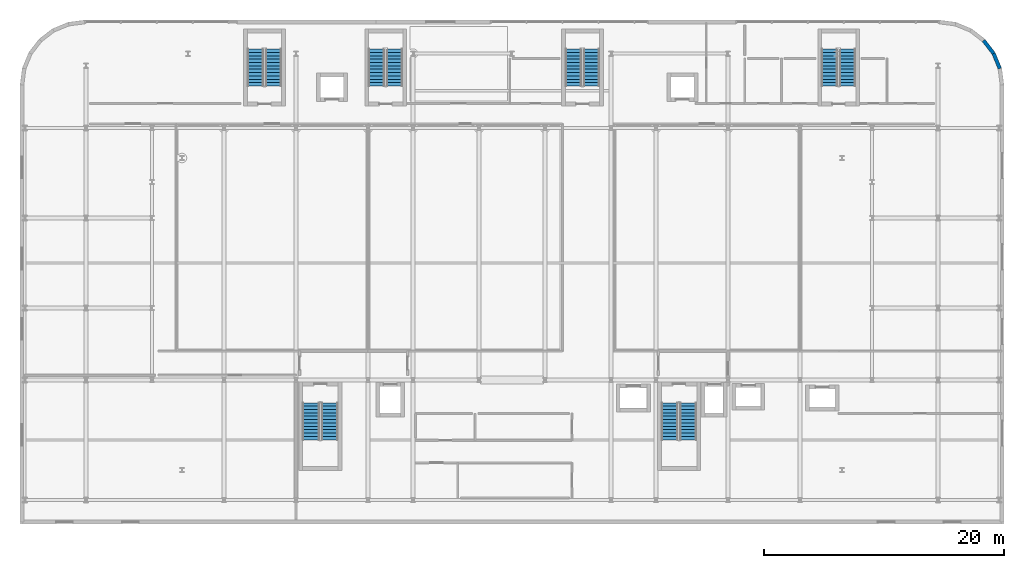
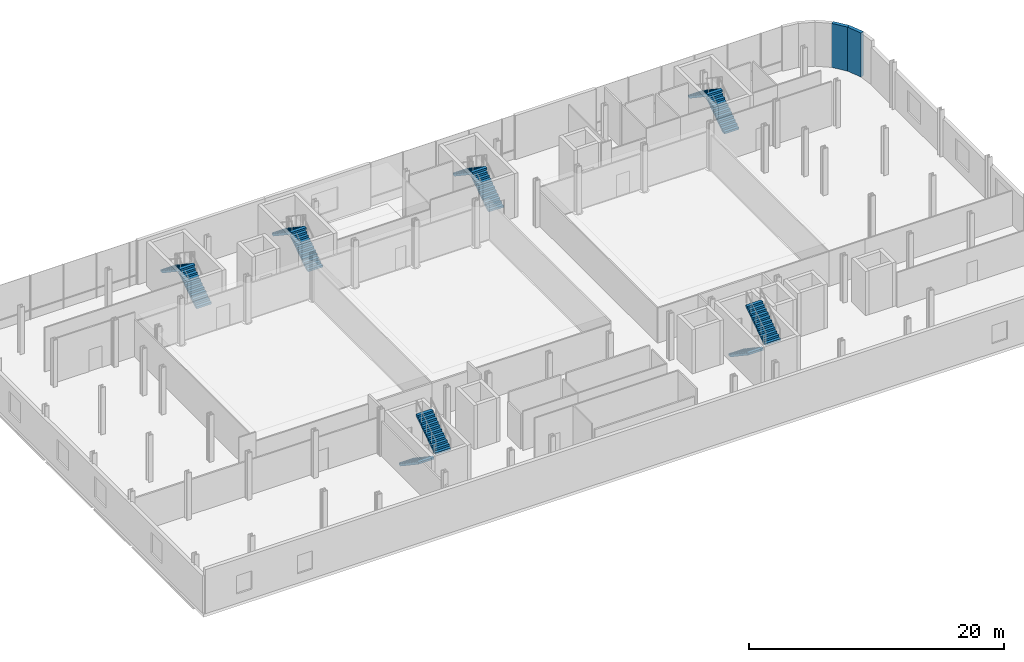
# One storey, part 20 of 25: 12 stair flights, 2 walls, 6 elements without a shape of their own.
"""IFC4 building model written with IfcOpenShell, lengths in metres."""

from ifc_helpers import new_model, si_unit, direction, frame, frame_2d, origin, place, context, subcontext, project, spatial, polyline, rectangle, outline, extrude, material, layer, layer_set, type_object, element, aggregate, save


model = new_model("IFC4")

# Units and contexts
model_context = context("Model", 3, precision=1e-05, world=origin(), true_north=direction((0.0, 1.0)))
body_context = subcontext(model_context, "Body", "Model", "MODEL_VIEW")
ifc_project = project(units=[si_unit("LENGTHUNIT", "METRE"), si_unit("AREAUNIT", "SQUARE_METRE"), si_unit("VOLUMEUNIT", "CUBIC_METRE"), si_unit("PLANEANGLEUNIT", "RADIAN"), si_unit("MASSUNIT", "GRAM", prefix="KILO")], contexts=[model_context])

# Site, building, storey
site_placement = place(None, origin())
site = spatial("IfcSite", under=ifc_project, at=site_placement, CompositionType="ELEMENT")
building_placement = place(site_placement, origin())
building = spatial("IfcBuilding", under=site, at=building_placement, Name="Brevholm Reach", CompositionType="ELEMENT")
storey_placement = place(building_placement, frame((0.0, 0.0, 13.5)))
storey = spatial("IfcBuildingStorey", under=building, at=storey_placement, Name="L03", CompositionType="ELEMENT", Elevation=13.5)

# Walls
ifc_material_1 = material(Name="Concrete C40/50", Category="concrete")
ifc_layer_1 = layer(ifc_material_1, 0.300048828125)
ifc_layer_set_1 = layer_set([ifc_layer_1], Name="Concrete C40/50")
wall_type = type_object("IfcWallType", Name="WAL-EXT-300", PredefinedType="STANDARD", material=ifc_layer_set_1)
wall_1_placement = place(storey_placement, frame((69.298095703125, 38.298095703125, 0.0), z_axis=(0.0, 0.0, 1.0), x_axis=(0.6088894473, -0.793255091989, 0.0)))
element("IfcWall", 1, at=wall_1_placement, inside=storey, type_object=wall_type, Name="L03 Facade Wall WAL-L03-NEP-4", PredefinedType="STANDARD", context=body_context, shape_type="SweptSolid", body=[
    extrude(rectangle(XDim=1.365234375, YDim=0.300048828125, at=frame_2d((0.6826171875, 0.0))), origin(), (0.0, 0.0, 1.0), 4.219970703125),
])
wall_2_placement = place(storey_placement, frame((70.12939453125, 37.215087890625, 0.0), z_axis=(0.0, 0.0, 1.0), x_axis=(0.382646577594, -0.923894797396, 0.0)))
element("IfcWall", 2, at=wall_2_placement, inside=storey, type_object=wall_type, Name="L03 Facade Wall WAL-L03-NEP-5", PredefinedType="STANDARD", context=body_context, shape_type="SweptSolid", body=[
    extrude(rectangle(XDim=1.365478515625, YDim=0.300048828125, at=frame_2d((0.6826171875, 0.0))), origin(), (0.0, 0.0, 1.0), 4.219970703125),
])

# Stair, stair flights
ifc_material_2 = material(Name="Precast Concrete C40/50", Category="concrete")
stair_type_1 = type_object("IfcStairType", Name="STR-ESC-1250", PredefinedType="DOUBLE_RETURN_STAIR", material=ifc_material_2)
stair_1_placement = place(storey_placement, origin())
stair_1 = element("IfcStair", 3, at=stair_1_placement, inside=storey, type_object=stair_type_1, Name="L03 ST-S1", PredefinedType="DOUBLE_RETURN_STAIR")
ifc_material_3 = material(Name="Precast Concrete C40/50", Category="concrete")
ifc_layer_2 = layer(ifc_material_3, 0.1650390625)
ifc_layer_set_2 = layer_set([ifc_layer_2], Name="Precast Concrete C40/50")
stair_flight_type_1 = type_object("IfcStairFlightType", Name="STF-PRC-165", PredefinedType="STRAIGHT", material=ifc_layer_set_2)
stair_flight_1_placement = place(storey_placement, frame((10.125, 34.5, 0.0), z_axis=(0.0, 0.0, 1.0), x_axis=(0.0, 1.0, 0.0)))
stair_flight_1 = element("IfcStairFlight", 4, at=stair_flight_1_placement, type_object=stair_flight_type_1, Name="ST-S1 flight 1", NumberOfRisers=12, NumberOfTreads=11, PredefinedType="STRAIGHT", RiserHeight=0.1875, TreadLength=0.28, context=body_context, shape_type="SweptSolid", body=[
    extrude(outline(polyline([(0.0, 0.0), (0.0, 0.1875), (0.280029296875, 0.1875), (0.280029296875, 0.375), (0.56005859375, 0.375), (0.56005859375, 0.5625), (0.840087890625, 0.5625), (0.840087890625, 0.75), (1.1201171875, 0.75), (1.1201171875, 0.9375), (1.39990234375, 0.9375), (1.39990234375, 1.125), (1.679931640625, 1.125), (1.679931640625, 1.3125), (1.9599609375, 1.3125), (1.9599609375, 1.5), (2.239990234375, 1.5), (2.239990234375, 1.6875), (2.52001953125, 1.6875), (2.52001953125, 1.875), (2.800048828125, 1.875), (2.800048828125, 2.0625), (3.080078125, 2.0625), (3.080078125, 2.25), (3.080078125, 1.882080078125), (0.26953125, 0.0), (0.0, 0.0)])), frame((0.0, 0.675048828125, 0.0), z_axis=(0.0, -1.0, 0.0), x_axis=(1.0, 0.0, 0.0)), (0.0, 0.0, 1.0), 1.35009765625),
])
stair_flight_2_placement = place(storey_placement, frame((8.625, 37.580078125, 2.25), z_axis=(0.0, 0.0, 1.0), x_axis=(0.0, -1.0, 0.0)))
stair_flight_2 = element("IfcStairFlight", 5, at=stair_flight_2_placement, type_object=stair_flight_type_1, Name="ST-S1 flight 2", NumberOfRisers=12, NumberOfTreads=11, PredefinedType="STRAIGHT", RiserHeight=0.1875, TreadLength=0.28, context=body_context, shape_type="SweptSolid", body=[
    extrude(outline(polyline([(0.0, 0.0), (0.0, 0.1875), (0.280029296875, 0.1875), (0.280029296875, 0.375), (0.56005859375, 0.375), (0.56005859375, 0.5625), (0.840087890625, 0.5625), (0.840087890625, 0.75), (1.1201171875, 0.75), (1.1201171875, 0.9375), (1.39990234375, 0.9375), (1.39990234375, 1.125), (1.679931640625, 1.125), (1.679931640625, 1.3125), (1.9599609375, 1.3125), (1.9599609375, 1.5), (2.239990234375, 1.5), (2.239990234375, 1.6875), (2.52001953125, 1.6875), (2.52001953125, 1.875), (2.800048828125, 1.875), (2.800048828125, 2.0625), (3.080078125, 2.0625), (3.080078125, 2.25), (3.080078125, 1.882080078125), (0.26953125, 0.0), (0.0, 0.0)])), frame((0.0, 0.675048828125, 0.0), z_axis=(0.0, -1.0, 0.0), x_axis=(1.0, 0.0, 0.0)), (0.0, 0.0, 1.0), 1.35009765625),
])
aggregate(stair_1, [stair_flight_1, stair_flight_2])

stair_2_placement = place(storey_placement, origin())
stair_2 = element("IfcStair", 6, at=stair_2_placement, inside=storey, type_object=stair_type_1, Name="L03 ST-S2", PredefinedType="DOUBLE_RETURN_STAIR")
stair_flight_3_placement = place(storey_placement, frame((20.22509765625, 34.5, 0.0), z_axis=(0.0, 0.0, 1.0), x_axis=(0.0, 1.0, 0.0)))
stair_flight_3 = element("IfcStairFlight", 7, at=stair_flight_3_placement, type_object=stair_flight_type_1, Name="ST-S2 flight 1", NumberOfRisers=12, NumberOfTreads=11, PredefinedType="STRAIGHT", RiserHeight=0.1875, TreadLength=0.28, context=body_context, shape_type="SweptSolid", body=[
    extrude(outline(polyline([(0.0, 0.0), (0.0, 0.1875), (0.280029296875, 0.1875), (0.280029296875, 0.375), (0.56005859375, 0.375), (0.56005859375, 0.5625), (0.840087890625, 0.5625), (0.840087890625, 0.75), (1.1201171875, 0.75), (1.1201171875, 0.9375), (1.39990234375, 0.9375), (1.39990234375, 1.125), (1.679931640625, 1.125), (1.679931640625, 1.3125), (1.9599609375, 1.3125), (1.9599609375, 1.5), (2.239990234375, 1.5), (2.239990234375, 1.6875), (2.52001953125, 1.6875), (2.52001953125, 1.875), (2.800048828125, 1.875), (2.800048828125, 2.0625), (3.080078125, 2.0625), (3.080078125, 2.25), (3.080078125, 1.882080078125), (0.26953125, 0.0), (0.0, 0.0)])), frame((0.0, 0.675048828125, 0.0), z_axis=(0.0, -1.0, 0.0), x_axis=(1.0, 0.0, 0.0)), (0.0, 0.0, 1.0), 1.35009765625),
])
stair_flight_4_placement = place(storey_placement, frame((18.72509765625, 37.580078125, 2.25), z_axis=(0.0, 0.0, 1.0), x_axis=(0.0, -1.0, 0.0)))
stair_flight_4 = element("IfcStairFlight", 8, at=stair_flight_4_placement, type_object=stair_flight_type_1, Name="ST-S2 flight 2", NumberOfRisers=12, NumberOfTreads=11, PredefinedType="STRAIGHT", RiserHeight=0.1875, TreadLength=0.28, context=body_context, shape_type="SweptSolid", body=[
    extrude(outline(polyline([(0.0, 0.0), (0.0, 0.1875), (0.280029296875, 0.1875), (0.280029296875, 0.375), (0.56005859375, 0.375), (0.56005859375, 0.5625), (0.840087890625, 0.5625), (0.840087890625, 0.75), (1.1201171875, 0.75), (1.1201171875, 0.9375), (1.39990234375, 0.9375), (1.39990234375, 1.125), (1.679931640625, 1.125), (1.679931640625, 1.3125), (1.9599609375, 1.3125), (1.9599609375, 1.5), (2.239990234375, 1.5), (2.239990234375, 1.6875), (2.52001953125, 1.6875), (2.52001953125, 1.875), (2.800048828125, 1.875), (2.800048828125, 2.0625), (3.080078125, 2.0625), (3.080078125, 2.25), (3.080078125, 1.882080078125), (0.26953125, 0.0), (0.0, 0.0)])), frame((0.0, 0.675048828125, 0.0), z_axis=(0.0, -1.0, 0.0), x_axis=(1.0, 0.0, 0.0)), (0.0, 0.0, 1.0), 1.35009765625),
])
aggregate(stair_2, [stair_flight_3, stair_flight_4])

stair_3_placement = place(storey_placement, origin())
stair_3 = element("IfcStair", 9, at=stair_3_placement, inside=storey, type_object=stair_type_1, Name="L03 ST-S3", PredefinedType="DOUBLE_RETURN_STAIR")
stair_flight_5_placement = place(storey_placement, frame((36.625, 34.5, 0.0), z_axis=(0.0, 0.0, 1.0), x_axis=(0.0, 1.0, 0.0)))
stair_flight_5 = element("IfcStairFlight", 10, at=stair_flight_5_placement, type_object=stair_flight_type_1, Name="ST-S3 flight 1", NumberOfRisers=12, NumberOfTreads=11, PredefinedType="STRAIGHT", RiserHeight=0.1875, TreadLength=0.28, context=body_context, shape_type="SweptSolid", body=[
    extrude(outline(polyline([(0.0, 0.0), (0.0, 0.1875), (0.280029296875, 0.1875), (0.280029296875, 0.375), (0.56005859375, 0.375), (0.56005859375, 0.5625), (0.840087890625, 0.5625), (0.840087890625, 0.75), (1.1201171875, 0.75), (1.1201171875, 0.9375), (1.39990234375, 0.9375), (1.39990234375, 1.125), (1.679931640625, 1.125), (1.679931640625, 1.3125), (1.9599609375, 1.3125), (1.9599609375, 1.5), (2.239990234375, 1.5), (2.239990234375, 1.6875), (2.52001953125, 1.6875), (2.52001953125, 1.875), (2.800048828125, 1.875), (2.800048828125, 2.0625), (3.080078125, 2.0625), (3.080078125, 2.25), (3.080078125, 1.882080078125), (0.26953125, 0.0), (0.0, 0.0)])), frame((0.0, 0.675048828125, 0.0), z_axis=(0.0, -1.0, 0.0), x_axis=(1.0, 0.0, 0.0)), (0.0, 0.0, 1.0), 1.35009765625),
])
stair_flight_6_placement = place(storey_placement, frame((35.125, 37.580078125, 2.25), z_axis=(0.0, 0.0, 1.0), x_axis=(0.0, -1.0, 0.0)))
stair_flight_6 = element("IfcStairFlight", 11, at=stair_flight_6_placement, type_object=stair_flight_type_1, Name="ST-S3 flight 2", NumberOfRisers=12, NumberOfTreads=11, PredefinedType="STRAIGHT", RiserHeight=0.1875, TreadLength=0.28, context=body_context, shape_type="SweptSolid", body=[
    extrude(outline(polyline([(0.0, 0.0), (0.0, 0.1875), (0.280029296875, 0.1875), (0.280029296875, 0.375), (0.56005859375, 0.375), (0.56005859375, 0.5625), (0.840087890625, 0.5625), (0.840087890625, 0.75), (1.1201171875, 0.75), (1.1201171875, 0.9375), (1.39990234375, 0.9375), (1.39990234375, 1.125), (1.679931640625, 1.125), (1.679931640625, 1.3125), (1.9599609375, 1.3125), (1.9599609375, 1.5), (2.239990234375, 1.5), (2.239990234375, 1.6875), (2.52001953125, 1.6875), (2.52001953125, 1.875), (2.800048828125, 1.875), (2.800048828125, 2.0625), (3.080078125, 2.0625), (3.080078125, 2.25), (3.080078125, 1.882080078125), (0.26953125, 0.0), (0.0, 0.0)])), frame((0.0, 0.675048828125, 0.0), z_axis=(0.0, -1.0, 0.0), x_axis=(1.0, 0.0, 0.0)), (0.0, 0.0, 1.0), 1.35009765625),
])
aggregate(stair_3, [stair_flight_5, stair_flight_6])

stair_4_placement = place(storey_placement, origin())
stair_4 = element("IfcStair", 12, at=stair_4_placement, inside=storey, type_object=stair_type_1, Name="L03 ST-S4", PredefinedType="DOUBLE_RETURN_STAIR")
stair_flight_7_placement = place(storey_placement, frame((57.97509765625, 34.5, 0.0), z_axis=(0.0, 0.0, 1.0), x_axis=(0.0, 1.0, 0.0)))
stair_flight_7 = element("IfcStairFlight", 13, at=stair_flight_7_placement, type_object=stair_flight_type_1, Name="ST-S4 flight 1", NumberOfRisers=12, NumberOfTreads=11, PredefinedType="STRAIGHT", RiserHeight=0.1875, TreadLength=0.28, context=body_context, shape_type="SweptSolid", body=[
    extrude(outline(polyline([(0.0, 0.0), (0.0, 0.1875), (0.280029296875, 0.1875), (0.280029296875, 0.375), (0.56005859375, 0.375), (0.56005859375, 0.5625), (0.840087890625, 0.5625), (0.840087890625, 0.75), (1.1201171875, 0.75), (1.1201171875, 0.9375), (1.39990234375, 0.9375), (1.39990234375, 1.125), (1.679931640625, 1.125), (1.679931640625, 1.3125), (1.9599609375, 1.3125), (1.9599609375, 1.5), (2.239990234375, 1.5), (2.239990234375, 1.6875), (2.52001953125, 1.6875), (2.52001953125, 1.875), (2.800048828125, 1.875), (2.800048828125, 2.0625), (3.080078125, 2.0625), (3.080078125, 2.25), (3.080078125, 1.882080078125), (0.26953125, 0.0), (0.0, 0.0)])), frame((0.0, 0.675048828125, 0.0), z_axis=(0.0, -1.0, 0.0), x_axis=(1.0, 0.0, 0.0)), (0.0, 0.0, 1.0), 1.35009765625),
])
stair_flight_8_placement = place(storey_placement, frame((56.47509765625, 37.580078125, 2.25), z_axis=(0.0, 0.0, 1.0), x_axis=(0.0, -1.0, 0.0)))
stair_flight_8 = element("IfcStairFlight", 14, at=stair_flight_8_placement, type_object=stair_flight_type_1, Name="ST-S4 flight 2", NumberOfRisers=12, NumberOfTreads=11, PredefinedType="STRAIGHT", RiserHeight=0.1875, TreadLength=0.28, context=body_context, shape_type="SweptSolid", body=[
    extrude(outline(polyline([(0.0, 0.0), (0.0, 0.1875), (0.280029296875, 0.1875), (0.280029296875, 0.375), (0.56005859375, 0.375), (0.56005859375, 0.5625), (0.840087890625, 0.5625), (0.840087890625, 0.75), (1.1201171875, 0.75), (1.1201171875, 0.9375), (1.39990234375, 0.9375), (1.39990234375, 1.125), (1.679931640625, 1.125), (1.679931640625, 1.3125), (1.9599609375, 1.3125), (1.9599609375, 1.5), (2.239990234375, 1.5), (2.239990234375, 1.6875), (2.52001953125, 1.6875), (2.52001953125, 1.875), (2.800048828125, 1.875), (2.800048828125, 2.0625), (3.080078125, 2.0625), (3.080078125, 2.25), (3.080078125, 1.882080078125), (0.26953125, 0.0), (0.0, 0.0)])), frame((0.0, 0.675048828125, 0.0), z_axis=(0.0, -1.0, 0.0), x_axis=(1.0, 0.0, 0.0)), (0.0, 0.0, 1.0), 1.35009765625),
])
aggregate(stair_4, [stair_flight_7, stair_flight_8])

ifc_material_4 = material(Name="Precast Concrete C40/50", Category="concrete")
stair_type_2 = type_object("IfcStairType", Name="STR-ESC-1400", PredefinedType="DOUBLE_RETURN_STAIR", material=ifc_material_4)
stair_5_placement = place(storey_placement, origin())
stair_5 = element("IfcStair", 15, at=stair_5_placement, inside=storey, type_object=stair_type_2, Name="L03 ST-1", PredefinedType="DOUBLE_RETURN_STAIR")
ifc_material_5 = material(Name="Precast Concrete C40/50", Category="concrete")
ifc_layer_3 = layer(ifc_material_5, 0.18505859375)
ifc_layer_set_3 = layer_set([ifc_layer_3], Name="Precast Concrete C40/50")
stair_flight_type_2 = type_object("IfcStairFlightType", Name="STF-PRC-185", PredefinedType="STRAIGHT", material=ifc_layer_set_3)
stair_flight_9_placement = place(storey_placement, frame((13.25, 8.10009765625, 0.0), z_axis=(0.0, 0.0, 1.0), x_axis=(0.0, -1.0, 0.0)))
stair_flight_9 = element("IfcStairFlight", 16, at=stair_flight_9_placement, type_object=stair_flight_type_2, Name="ST-1 flight 1", NumberOfRisers=12, NumberOfTreads=11, PredefinedType="STRAIGHT", RiserHeight=0.1875, TreadLength=0.28, context=body_context, shape_type="SweptSolid", body=[
    extrude(outline(polyline([(0.0, 0.0), (0.0, 0.1875), (0.280029296875, 0.1875), (0.280029296875, 0.375), (0.56005859375, 0.375), (0.56005859375, 0.5625), (0.840087890625, 0.5625), (0.840087890625, 0.75), (1.1201171875, 0.75), (1.1201171875, 0.9375), (1.39990234375, 0.9375), (1.39990234375, 1.125), (1.679931640625, 1.125), (1.679931640625, 1.3125), (1.9599609375, 1.3125), (1.9599609375, 1.5), (2.239990234375, 1.5), (2.239990234375, 1.6875), (2.52001953125, 1.6875), (2.52001953125, 1.875), (2.800048828125, 1.875), (2.800048828125, 2.0625), (3.080078125, 2.0625), (3.080078125, 2.25), (3.080078125, 1.882080078125), (0.26953125, 0.0), (0.0, 0.0)])), frame((0.0, 0.699951171875, 0.0), z_axis=(0.0, -1.0, 0.0), x_axis=(1.0, 0.0, 0.0)), (0.0, 0.0, 1.0), 1.39990234375),
])
stair_flight_10_placement = place(storey_placement, frame((14.800048828125, 5.02001953125, 2.25), z_axis=(0.0, 0.0, 1.0), x_axis=(0.0, 1.0, 0.0)))
stair_flight_10 = element("IfcStairFlight", 17, at=stair_flight_10_placement, type_object=stair_flight_type_2, Name="ST-1 flight 2", NumberOfRisers=12, NumberOfTreads=11, PredefinedType="STRAIGHT", RiserHeight=0.1875, TreadLength=0.28, context=body_context, shape_type="SweptSolid", body=[
    extrude(outline(polyline([(0.0, 0.0), (0.0, 0.1875), (0.280029296875, 0.1875), (0.280029296875, 0.375), (0.56005859375, 0.375), (0.56005859375, 0.5625), (0.840087890625, 0.5625), (0.840087890625, 0.75), (1.1201171875, 0.75), (1.1201171875, 0.9375), (1.39990234375, 0.9375), (1.39990234375, 1.125), (1.679931640625, 1.125), (1.679931640625, 1.3125), (1.9599609375, 1.3125), (1.9599609375, 1.5), (2.239990234375, 1.5), (2.239990234375, 1.6875), (2.52001953125, 1.6875), (2.52001953125, 1.875), (2.800048828125, 1.875), (2.800048828125, 2.0625), (3.080078125, 2.0625), (3.080078125, 2.25), (3.080078125, 1.882080078125), (0.26953125, 0.0), (0.0, 0.0)])), frame((0.0, 0.699951171875, 0.0), z_axis=(0.0, -1.0, 0.0), x_axis=(1.0, 0.0, 0.0)), (0.0, 0.0, 1.0), 1.39990234375),
])
aggregate(stair_5, [stair_flight_9, stair_flight_10])

stair_6_placement = place(storey_placement, origin())
stair_6 = element("IfcStair", 18, at=stair_6_placement, inside=storey, type_object=stair_type_2, Name="L03 ST-2", PredefinedType="DOUBLE_RETURN_STAIR")
stair_flight_11_placement = place(storey_placement, frame((43.14990234375, 8.10009765625, 0.0), z_axis=(0.0, 0.0, 1.0), x_axis=(0.0, -1.0, 0.0)))
stair_flight_11 = element("IfcStairFlight", 19, at=stair_flight_11_placement, type_object=stair_flight_type_2, Name="ST-2 flight 1", NumberOfRisers=12, NumberOfTreads=11, PredefinedType="STRAIGHT", RiserHeight=0.1875, TreadLength=0.28, context=body_context, shape_type="SweptSolid", body=[
    extrude(outline(polyline([(0.0, 0.0), (0.0, 0.1875), (0.280029296875, 0.1875), (0.280029296875, 0.375), (0.56005859375, 0.375), (0.56005859375, 0.5625), (0.840087890625, 0.5625), (0.840087890625, 0.75), (1.1201171875, 0.75), (1.1201171875, 0.9375), (1.39990234375, 0.9375), (1.39990234375, 1.125), (1.679931640625, 1.125), (1.679931640625, 1.3125), (1.9599609375, 1.3125), (1.9599609375, 1.5), (2.239990234375, 1.5), (2.239990234375, 1.6875), (2.52001953125, 1.6875), (2.52001953125, 1.875), (2.800048828125, 1.875), (2.800048828125, 2.0625), (3.080078125, 2.0625), (3.080078125, 2.25), (3.080078125, 1.882080078125), (0.26953125, 0.0), (0.0, 0.0)])), frame((0.0, 0.699951171875, 0.0), z_axis=(0.0, -1.0, 0.0), x_axis=(1.0, 0.0, 0.0)), (0.0, 0.0, 1.0), 1.39990234375),
])
stair_flight_12_placement = place(storey_placement, frame((44.699951171875, 5.02001953125, 2.25), z_axis=(0.0, 0.0, 1.0), x_axis=(0.0, 1.0, 0.0)))
stair_flight_12 = element("IfcStairFlight", 20, at=stair_flight_12_placement, type_object=stair_flight_type_2, Name="ST-2 flight 2", NumberOfRisers=12, NumberOfTreads=11, PredefinedType="STRAIGHT", RiserHeight=0.1875, TreadLength=0.28, context=body_context, shape_type="SweptSolid", body=[
    extrude(outline(polyline([(0.0, 0.0), (0.0, 0.1875), (0.280029296875, 0.1875), (0.280029296875, 0.375), (0.56005859375, 0.375), (0.56005859375, 0.5625), (0.840087890625, 0.5625), (0.840087890625, 0.75), (1.1201171875, 0.75), (1.1201171875, 0.9375), (1.39990234375, 0.9375), (1.39990234375, 1.125), (1.679931640625, 1.125), (1.679931640625, 1.3125), (1.9599609375, 1.3125), (1.9599609375, 1.5), (2.239990234375, 1.5), (2.239990234375, 1.6875), (2.52001953125, 1.6875), (2.52001953125, 1.875), (2.800048828125, 1.875), (2.800048828125, 2.0625), (3.080078125, 2.0625), (3.080078125, 2.25), (3.080078125, 1.882080078125), (0.26953125, 0.0), (0.0, 0.0)])), frame((0.0, 0.699951171875, 0.0), z_axis=(0.0, -1.0, 0.0), x_axis=(1.0, 0.0, 0.0)), (0.0, 0.0, 1.0), 1.39990234375),
])
aggregate(stair_6, [stair_flight_11, stair_flight_12])

save(model, "model.ifc")
